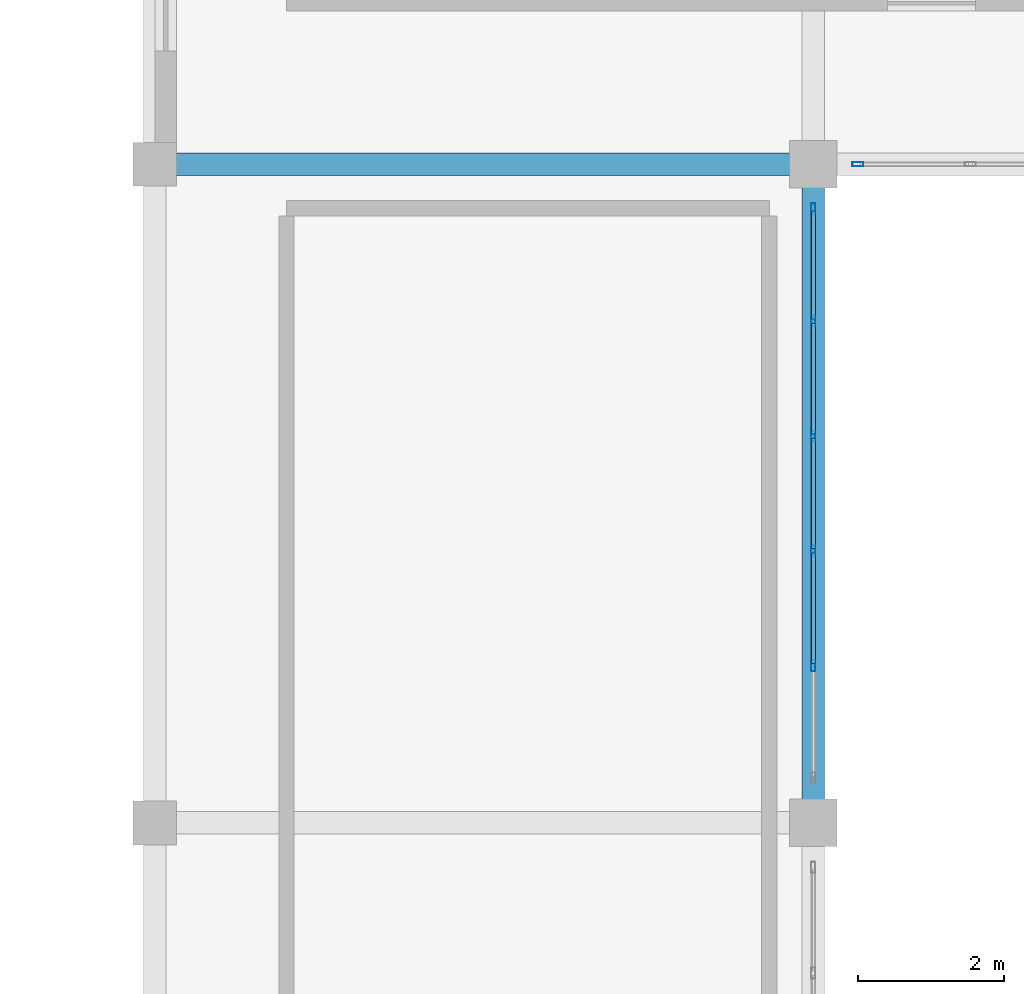
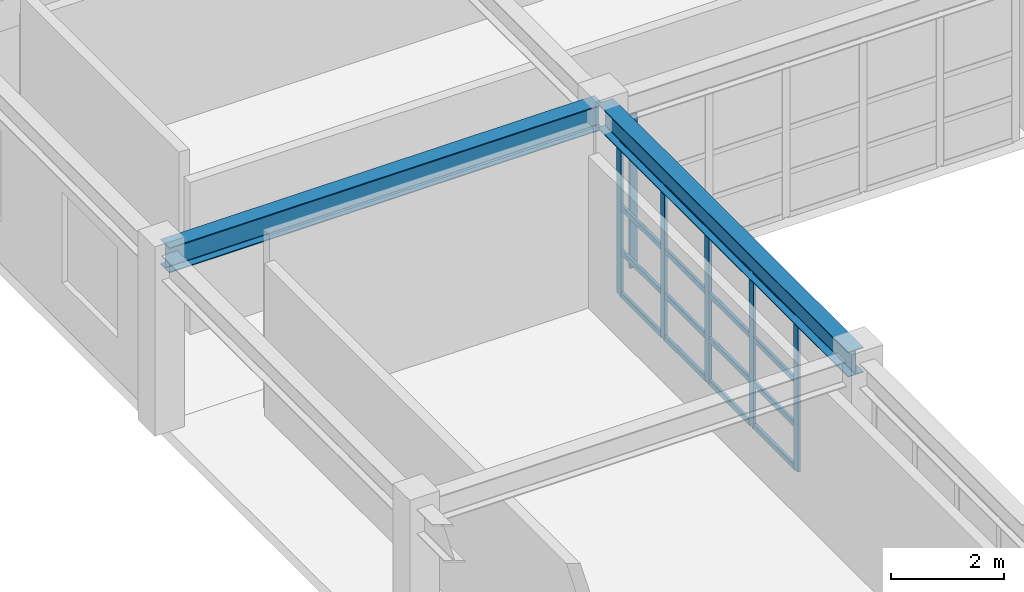
# One storey, part 61 of 110: 22 members, 2 beams, 2 elements without a shape of their own.
"""IFC4 building model written with IfcOpenShell, lengths in metres."""

from ifc_helpers import new_model, si_unit, direction, frame, origin, origin_2d, place, context, subcontext, project, spatial, hollow_rectangle, i_section, extrude, material, material_profile, profile_set, type_object, element, aggregate, save


model = new_model("IFC4")

# Units and contexts
model_context = context("Model", 3, precision=1e-05, world=origin(), true_north=direction((0.0, 1.0)))
body_context = subcontext(model_context, "Body", "Model", "MODEL_VIEW")
ifc_project = project(units=[si_unit("LENGTHUNIT", "METRE"), si_unit("AREAUNIT", "SQUARE_METRE"), si_unit("VOLUMEUNIT", "CUBIC_METRE"), si_unit("PLANEANGLEUNIT", "RADIAN"), si_unit("MASSUNIT", "GRAM", prefix="KILO")], contexts=[model_context])

# Site, building, storey
site_placement = place(None, origin())
site = spatial("IfcSite", under=ifc_project, at=site_placement, CompositionType="ELEMENT")
building_placement = place(site_placement, origin())
building = spatial("IfcBuilding", under=site, at=building_placement, Name="Miravela Opera House", CompositionType="ELEMENT")
storey_placement = place(building_placement, frame((0.0, 0.0, 13.60009765625)))
storey = spatial("IfcBuildingStorey", under=building, at=storey_placement, Name="L03", CompositionType="ELEMENT", Elevation=13.60009765625)

# Curtain wall, member
ifc_material_1 = material(Name="Anodised architectural bronze aluminium 6063-T6", Category="aluminium")
curtain_wall_type = type_object("IfcCurtainWallType", Name="ARC-CW-05", PredefinedType="NOTDEFINED", material=ifc_material_1)
curtain_wall_1_placement = place(storey_placement, origin())
curtain_wall_1 = element("IfcCurtainWall", 1, at=curtain_wall_1_placement, inside=storey, type_object=curtain_wall_type, Name="Courtyard Arcade Curtain Wall CW-L03-102", PredefinedType="NOTDEFINED")
ifc_material_profile_1 = material_profile(ifc_material_1, hollow_rectangle(XDim=0.06005859375, YDim=0.14990234375, WallThickness=0.00390625, InnerFilletRadius=0.001953125, OuterFilletRadius=0.00390625, at=origin_2d()), Name="CWM-60X150")
ifc_profile_set_1 = profile_set([ifc_material_profile_1])
member_type_1 = type_object("IfcMemberType", Name="ARC-CWM-150", PredefinedType="MULLION", material=ifc_profile_set_1)
member_1_placement = place(storey_placement, frame((27.610107421875, 103.0, 0.0), z_axis=(0.0, 0.0, 1.0), x_axis=(0.0, 1.0, 0.0)))
member_1 = element("IfcMember", 2, at=member_1_placement, type_object=member_type_1, Name="CW-05 mullion 1", PredefinedType="MULLION", context=body_context, shape_type="SweptSolid", body=[
    extrude(hollow_rectangle(XDim=0.06005859375, YDim=0.14990234375, WallThickness=0.00390625, InnerFilletRadius=0.001953125, OuterFilletRadius=0.00390625, at=origin_2d()), origin(), (0.0, 0.0, 1.0), 3.289794921875),
])
aggregate(curtain_wall_1, [member_1])

# Curtain wall, members
curtain_wall_2_placement = place(storey_placement, origin())
curtain_wall_2 = element("IfcCurtainWall", 3, at=curtain_wall_2_placement, inside=storey, type_object=curtain_wall_type, Name="Courtyard Arcade Curtain Wall CW-L03-110", PredefinedType="NOTDEFINED")
member_2_placement = place(storey_placement, frame((27.0, 96.14794921875, 0.0), z_axis=(0.0, 0.0, 1.0), x_axis=(-1.0, 0.0, 0.0)))
member_2 = element("IfcMember", 4, at=member_2_placement, type_object=member_type_1, Name="CW-05 mullion 2", PredefinedType="MULLION", context=body_context, shape_type="SweptSolid", body=[
    extrude(hollow_rectangle(XDim=0.06005859375, YDim=0.14990234375, WallThickness=0.00390625, InnerFilletRadius=0.001953125, OuterFilletRadius=0.00390625, at=origin_2d()), origin(), (0.0, 0.0, 1.0), 3.289794921875),
])
member_3_placement = place(storey_placement, frame((27.0, 97.716064453125, 0.0), z_axis=(0.0, 0.0, 1.0), x_axis=(-1.0, 0.0, 0.0)))
member_3 = element("IfcMember", 5, at=member_3_placement, type_object=member_type_1, Name="CW-05 mullion 3", PredefinedType="MULLION", context=body_context, shape_type="SweptSolid", body=[
    extrude(hollow_rectangle(XDim=0.06005859375, YDim=0.14990234375, WallThickness=0.00390625, InnerFilletRadius=0.001953125, OuterFilletRadius=0.00390625, at=origin_2d()), origin(), (0.0, 0.0, 1.0), 3.289794921875),
])
member_4_placement = place(storey_placement, frame((27.0, 99.283935546875, 0.0), z_axis=(0.0, 0.0, 1.0), x_axis=(-1.0, 0.0, 0.0)))
member_4 = element("IfcMember", 6, at=member_4_placement, type_object=member_type_1, Name="CW-05 mullion 4", PredefinedType="MULLION", context=body_context, shape_type="SweptSolid", body=[
    extrude(hollow_rectangle(XDim=0.06005859375, YDim=0.14990234375, WallThickness=0.00390625, InnerFilletRadius=0.001953125, OuterFilletRadius=0.00390625, at=origin_2d()), origin(), (0.0, 0.0, 1.0), 3.289794921875),
])
member_5_placement = place(storey_placement, frame((27.0, 100.85205078125, 0.0), z_axis=(0.0, 0.0, 1.0), x_axis=(-1.0, 0.0, 0.0)))
member_5 = element("IfcMember", 7, at=member_5_placement, type_object=member_type_1, Name="CW-05 mullion 5", PredefinedType="MULLION", context=body_context, shape_type="SweptSolid", body=[
    extrude(hollow_rectangle(XDim=0.06005859375, YDim=0.14990234375, WallThickness=0.00390625, InnerFilletRadius=0.001953125, OuterFilletRadius=0.00390625, at=origin_2d()), origin(), (0.0, 0.0, 1.0), 3.289794921875),
])
member_6_placement = place(storey_placement, frame((27.0, 102.389892578125, 0.0), z_axis=(0.0, 0.0, 1.0), x_axis=(-1.0, 0.0, 0.0)))
member_6 = element("IfcMember", 8, at=member_6_placement, type_object=member_type_1, Name="CW-05 mullion 6", PredefinedType="MULLION", context=body_context, shape_type="SweptSolid", body=[
    extrude(hollow_rectangle(XDim=0.06005859375, YDim=0.14990234375, WallThickness=0.00390625, InnerFilletRadius=0.001953125, OuterFilletRadius=0.00390625, at=origin_2d()), origin(), (0.0, 0.0, 1.0), 3.289794921875),
])
ifc_material_profile_2 = material_profile(ifc_material_1, hollow_rectangle(XDim=0.06005859375, YDim=0.114990234375, WallThickness=0.00390625, InnerFilletRadius=0.001953125, OuterFilletRadius=0.00390625, at=origin_2d()), Name="CWT-60X115")
ifc_profile_set_2 = profile_set([ifc_material_profile_2])
member_type_2 = type_object("IfcMemberType", Name="ARC-CWT-115", PredefinedType="USERDEFINED", material=ifc_profile_set_2)
member_7_placement = place(storey_placement, frame((27.0, 96.177978515625, 0.02978515625), z_axis=(0.0, 1.0, 0.0), x_axis=(-1.0, 0.0, 0.0)))
member_7 = element("IfcMember", 9, at=member_7_placement, type_object=member_type_2, Name="CW-05 transom 2.1", ObjectType="TRANSOM", PredefinedType="USERDEFINED", context=body_context, shape_type="SweptSolid", body=[
    extrude(hollow_rectangle(XDim=0.06005859375, YDim=0.114990234375, WallThickness=0.00390625, InnerFilletRadius=0.001953125, OuterFilletRadius=0.00390625, at=origin_2d()), origin(), (0.0, 0.0, 1.0), 1.508056640625),
])
member_8_placement = place(storey_placement, frame((27.0, 96.177978515625, 0.949951171875), z_axis=(0.0, 1.0, 0.0), x_axis=(-1.0, 0.0, 0.0)))
member_8 = element("IfcMember", 10, at=member_8_placement, type_object=member_type_2, Name="CW-05 transom 2.2", ObjectType="TRANSOM", PredefinedType="USERDEFINED", context=body_context, shape_type="SweptSolid", body=[
    extrude(hollow_rectangle(XDim=0.06005859375, YDim=0.114990234375, WallThickness=0.00390625, InnerFilletRadius=0.001953125, OuterFilletRadius=0.00390625, at=origin_2d()), origin(), (0.0, 0.0, 1.0), 1.508056640625),
])
member_9_placement = place(storey_placement, frame((27.0, 96.177978515625, 1.908203125), z_axis=(0.0, 1.0, 0.0), x_axis=(-1.0, 0.0, 0.0)))
member_9 = element("IfcMember", 11, at=member_9_placement, type_object=member_type_2, Name="CW-05 transom 2.3", ObjectType="TRANSOM", PredefinedType="USERDEFINED", context=body_context, shape_type="SweptSolid", body=[
    extrude(hollow_rectangle(XDim=0.06005859375, YDim=0.114990234375, WallThickness=0.00390625, InnerFilletRadius=0.001953125, OuterFilletRadius=0.00390625, at=origin_2d()), origin(), (0.0, 0.0, 1.0), 1.508056640625),
])
member_10_placement = place(storey_placement, frame((27.0, 96.177978515625, 3.260009765625), z_axis=(0.0, 1.0, 0.0), x_axis=(-1.0, 0.0, 0.0)))
member_10 = element("IfcMember", 12, at=member_10_placement, type_object=member_type_2, Name="CW-05 transom 2.4", ObjectType="TRANSOM", PredefinedType="USERDEFINED", context=body_context, shape_type="SweptSolid", body=[
    extrude(hollow_rectangle(XDim=0.06005859375, YDim=0.114990234375, WallThickness=0.00390625, InnerFilletRadius=0.001953125, OuterFilletRadius=0.00390625, at=origin_2d()), origin(), (0.0, 0.0, 1.0), 1.508056640625),
])
member_11_placement = place(storey_placement, frame((27.0, 97.74609375, 0.02978515625), z_axis=(0.0, 1.0, 0.0), x_axis=(-1.0, 0.0, 0.0)))
member_11 = element("IfcMember", 13, at=member_11_placement, type_object=member_type_2, Name="CW-05 transom 3.1", ObjectType="TRANSOM", PredefinedType="USERDEFINED", context=body_context, shape_type="SweptSolid", body=[
    extrude(hollow_rectangle(XDim=0.06005859375, YDim=0.114990234375, WallThickness=0.00390625, InnerFilletRadius=0.001953125, OuterFilletRadius=0.00390625, at=origin_2d()), origin(), (0.0, 0.0, 1.0), 1.5078125),
])
member_12_placement = place(storey_placement, frame((27.0, 97.74609375, 0.949951171875), z_axis=(0.0, 1.0, 0.0), x_axis=(-1.0, 0.0, 0.0)))
member_12 = element("IfcMember", 14, at=member_12_placement, type_object=member_type_2, Name="CW-05 transom 3.2", ObjectType="TRANSOM", PredefinedType="USERDEFINED", context=body_context, shape_type="SweptSolid", body=[
    extrude(hollow_rectangle(XDim=0.06005859375, YDim=0.114990234375, WallThickness=0.00390625, InnerFilletRadius=0.001953125, OuterFilletRadius=0.00390625, at=origin_2d()), origin(), (0.0, 0.0, 1.0), 1.5078125),
])
member_13_placement = place(storey_placement, frame((27.0, 97.74609375, 1.908203125), z_axis=(0.0, 1.0, 0.0), x_axis=(-1.0, 0.0, 0.0)))
member_13 = element("IfcMember", 15, at=member_13_placement, type_object=member_type_2, Name="CW-05 transom 3.3", ObjectType="TRANSOM", PredefinedType="USERDEFINED", context=body_context, shape_type="SweptSolid", body=[
    extrude(hollow_rectangle(XDim=0.06005859375, YDim=0.114990234375, WallThickness=0.00390625, InnerFilletRadius=0.001953125, OuterFilletRadius=0.00390625, at=origin_2d()), origin(), (0.0, 0.0, 1.0), 1.5078125),
])
member_14_placement = place(storey_placement, frame((27.0, 97.74609375, 3.260009765625), z_axis=(0.0, 1.0, 0.0), x_axis=(-1.0, 0.0, 0.0)))
member_14 = element("IfcMember", 16, at=member_14_placement, type_object=member_type_2, Name="CW-05 transom 3.4", ObjectType="TRANSOM", PredefinedType="USERDEFINED", context=body_context, shape_type="SweptSolid", body=[
    extrude(hollow_rectangle(XDim=0.06005859375, YDim=0.114990234375, WallThickness=0.00390625, InnerFilletRadius=0.001953125, OuterFilletRadius=0.00390625, at=origin_2d()), origin(), (0.0, 0.0, 1.0), 1.5078125),
])
member_15_placement = place(storey_placement, frame((27.0, 99.31396484375, 0.02978515625), z_axis=(0.0, 1.0, 0.0), x_axis=(-1.0, 0.0, 0.0)))
member_15 = element("IfcMember", 17, at=member_15_placement, type_object=member_type_2, Name="CW-05 transom 4.1", ObjectType="TRANSOM", PredefinedType="USERDEFINED", context=body_context, shape_type="SweptSolid", body=[
    extrude(hollow_rectangle(XDim=0.06005859375, YDim=0.114990234375, WallThickness=0.00390625, InnerFilletRadius=0.001953125, OuterFilletRadius=0.00390625, at=origin_2d()), origin(), (0.0, 0.0, 1.0), 1.508056640625),
])
member_16_placement = place(storey_placement, frame((27.0, 99.31396484375, 0.949951171875), z_axis=(0.0, 1.0, 0.0), x_axis=(-1.0, 0.0, 0.0)))
member_16 = element("IfcMember", 18, at=member_16_placement, type_object=member_type_2, Name="CW-05 transom 4.2", ObjectType="TRANSOM", PredefinedType="USERDEFINED", context=body_context, shape_type="SweptSolid", body=[
    extrude(hollow_rectangle(XDim=0.06005859375, YDim=0.114990234375, WallThickness=0.00390625, InnerFilletRadius=0.001953125, OuterFilletRadius=0.00390625, at=origin_2d()), origin(), (0.0, 0.0, 1.0), 1.508056640625),
])
member_17_placement = place(storey_placement, frame((27.0, 99.31396484375, 1.908203125), z_axis=(0.0, 1.0, 0.0), x_axis=(-1.0, 0.0, 0.0)))
member_17 = element("IfcMember", 19, at=member_17_placement, type_object=member_type_2, Name="CW-05 transom 4.3", ObjectType="TRANSOM", PredefinedType="USERDEFINED", context=body_context, shape_type="SweptSolid", body=[
    extrude(hollow_rectangle(XDim=0.06005859375, YDim=0.114990234375, WallThickness=0.00390625, InnerFilletRadius=0.001953125, OuterFilletRadius=0.00390625, at=origin_2d()), origin(), (0.0, 0.0, 1.0), 1.508056640625),
])
member_18_placement = place(storey_placement, frame((27.0, 99.31396484375, 3.260009765625), z_axis=(0.0, 1.0, 0.0), x_axis=(-1.0, 0.0, 0.0)))
member_18 = element("IfcMember", 20, at=member_18_placement, type_object=member_type_2, Name="CW-05 transom 4.4", ObjectType="TRANSOM", PredefinedType="USERDEFINED", context=body_context, shape_type="SweptSolid", body=[
    extrude(hollow_rectangle(XDim=0.06005859375, YDim=0.114990234375, WallThickness=0.00390625, InnerFilletRadius=0.001953125, OuterFilletRadius=0.00390625, at=origin_2d()), origin(), (0.0, 0.0, 1.0), 1.508056640625),
])
member_19_placement = place(storey_placement, frame((27.0, 100.882080078125, 0.02978515625), z_axis=(0.0, 1.0, 0.0), x_axis=(-1.0, 0.0, 0.0)))
member_19 = element("IfcMember", 21, at=member_19_placement, type_object=member_type_2, Name="CW-05 transom 5.1", ObjectType="TRANSOM", PredefinedType="USERDEFINED", context=body_context, shape_type="SweptSolid", body=[
    extrude(hollow_rectangle(XDim=0.06005859375, YDim=0.114990234375, WallThickness=0.00390625, InnerFilletRadius=0.001953125, OuterFilletRadius=0.00390625, at=origin_2d()), origin(), (0.0, 0.0, 1.0), 1.47802734375),
])
member_20_placement = place(storey_placement, frame((27.0, 100.882080078125, 0.949951171875), z_axis=(0.0, 1.0, 0.0), x_axis=(-1.0, 0.0, 0.0)))
member_20 = element("IfcMember", 22, at=member_20_placement, type_object=member_type_2, Name="CW-05 transom 5.2", ObjectType="TRANSOM", PredefinedType="USERDEFINED", context=body_context, shape_type="SweptSolid", body=[
    extrude(hollow_rectangle(XDim=0.06005859375, YDim=0.114990234375, WallThickness=0.00390625, InnerFilletRadius=0.001953125, OuterFilletRadius=0.00390625, at=origin_2d()), origin(), (0.0, 0.0, 1.0), 1.47802734375),
])
member_21_placement = place(storey_placement, frame((27.0, 100.882080078125, 1.908203125), z_axis=(0.0, 1.0, 0.0), x_axis=(-1.0, 0.0, 0.0)))
member_21 = element("IfcMember", 23, at=member_21_placement, type_object=member_type_2, Name="CW-05 transom 5.3", ObjectType="TRANSOM", PredefinedType="USERDEFINED", context=body_context, shape_type="SweptSolid", body=[
    extrude(hollow_rectangle(XDim=0.06005859375, YDim=0.114990234375, WallThickness=0.00390625, InnerFilletRadius=0.001953125, OuterFilletRadius=0.00390625, at=origin_2d()), origin(), (0.0, 0.0, 1.0), 1.47802734375),
])
member_22_placement = place(storey_placement, frame((27.0, 100.882080078125, 3.260009765625), z_axis=(0.0, 1.0, 0.0), x_axis=(-1.0, 0.0, 0.0)))
member_22 = element("IfcMember", 24, at=member_22_placement, type_object=member_type_2, Name="CW-05 transom 5.4", ObjectType="TRANSOM", PredefinedType="USERDEFINED", context=body_context, shape_type="SweptSolid", body=[
    extrude(hollow_rectangle(XDim=0.06005859375, YDim=0.114990234375, WallThickness=0.00390625, InnerFilletRadius=0.001953125, OuterFilletRadius=0.00390625, at=origin_2d()), origin(), (0.0, 0.0, 1.0), 1.47802734375),
])
aggregate(curtain_wall_2, [member_2, member_3, member_4, member_5, member_6, member_7, member_8, member_9, member_10, member_11, member_12, member_13, member_14, member_15, member_16, member_17, member_18, member_19, member_20, member_21, member_22])

# Beams
ifc_material_2 = material(Name="Structural steel ASTM A992 Gr. 50", Category="steel")
ifc_material_profile_3 = material_profile(ifc_material_2, i_section(OverallWidth=0.31201171875, OverallDepth=0.54296875, WebThickness=0.0126953125, FlangeThickness=0.020263671875, FilletRadius=0.01611328125, at=origin_2d()), Name="W530X150")
ifc_profile_set_3 = profile_set([ifc_material_profile_3])
beam_type = type_object("IfcBeamType", Name="STR-BM-W530X150", PredefinedType="BEAM", material=ifc_profile_set_3)
for number, where, z_axis, x_axis, name in (
    (25, (27.0, 94.080078125, 3.568359375), (0.0, 1.0, 0.0), (-1.0, 0.0, 0.0), "Roof Eave Girder ROOF-V3-WEST-M E2"),
    (26, (18.080078125, 103.0, 3.568359375), (1.0, 0.0, 0.0), (0.0, 1.0, 0.0), "Roof King-Post Transverse Tie Girder ROOF-V3-WEST-M T2.1"),
):
    element("IfcBeam", number, at=place(storey_placement, frame(where, z_axis=z_axis, x_axis=x_axis)), inside=storey, type_object=beam_type, Name=name, PredefinedType="BEAM", context=body_context, shape_type="SweptSolid", body=[
        extrude(i_section(OverallWidth=0.31201171875, OverallDepth=0.54296875, WebThickness=0.0126953125, FlangeThickness=0.020263671875, FilletRadius=0.01611328125, at=origin_2d()), origin(), (0.0, 0.0, 1.0), 8.83984375),
    ])

save(model, "model.ifc")
